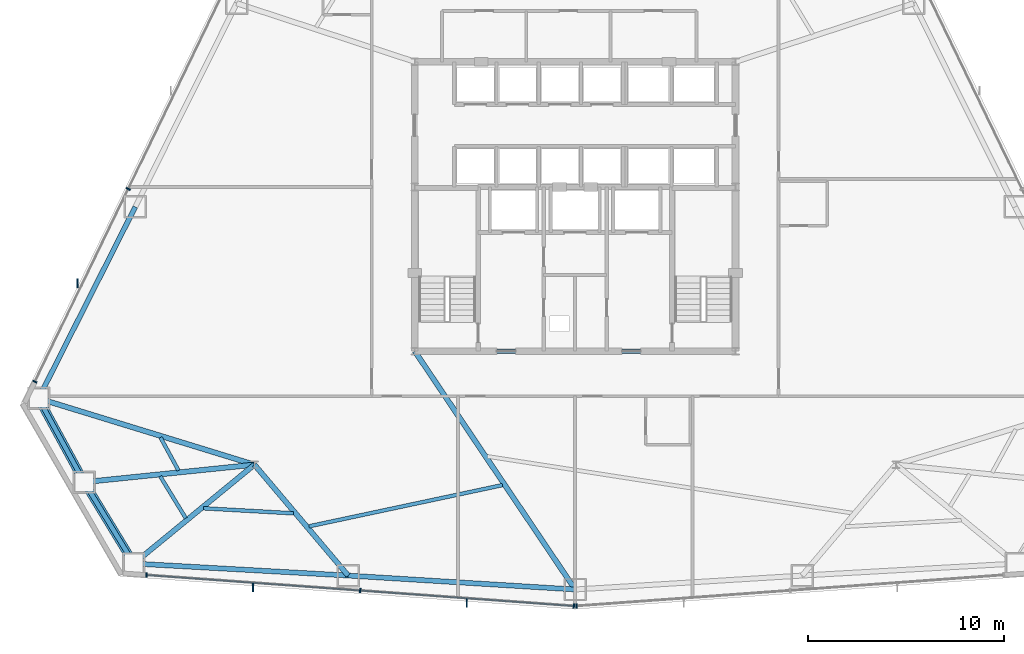
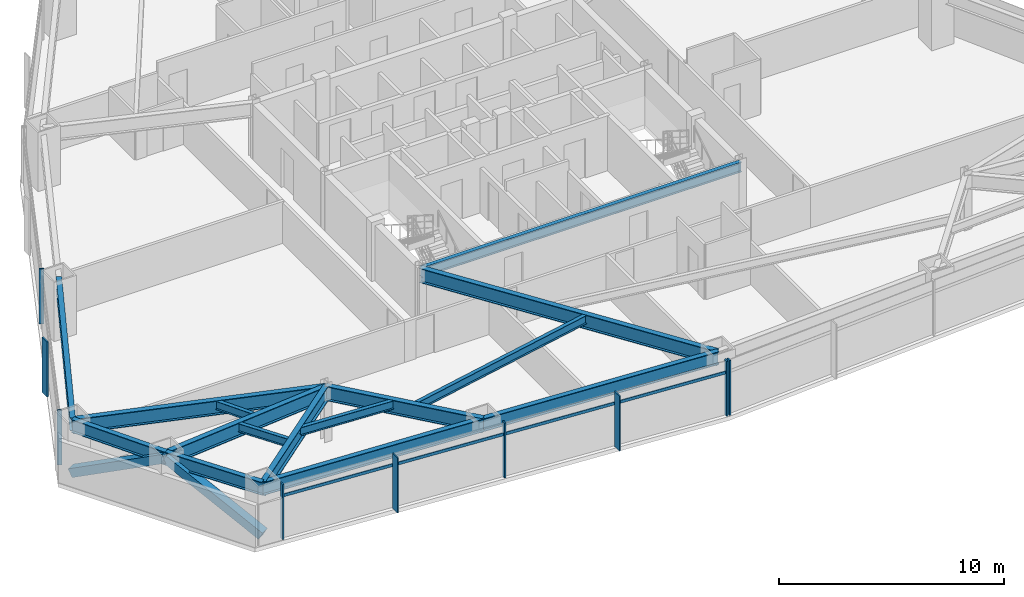
# One storey, part 4 of 12: 15 beams, 12 members, 3 elements without a shape of their own.
"""IFC4 building model written with IfcOpenShell, lengths in metres."""

from ifc_helpers import new_model, si_unit, direction, frame, origin, origin_2d, place, context, subcontext, project, spatial, rectangle, hollow_rectangle, i_section, extrude, source, transform, mapped, material, layer, layer_set, material_profile, profile_set, type_object, type_shapes, element, aggregate, save


model = new_model("IFC4")

# Units and contexts
model_context = context("Model", 3, precision=1e-05, world=origin(), true_north=direction((0.0, 1.0)))
body_context = subcontext(model_context, "Body", "Model", "MODEL_VIEW")
ifc_project = project(units=[si_unit("LENGTHUNIT", "METRE"), si_unit("AREAUNIT", "SQUARE_METRE"), si_unit("VOLUMEUNIT", "CUBIC_METRE"), si_unit("PLANEANGLEUNIT", "RADIAN"), si_unit("MASSUNIT", "GRAM", prefix="KILO")], contexts=[model_context])

# Site, building, storey
site_placement = place(None, origin())
site = spatial("IfcSite", under=ifc_project, at=site_placement, CompositionType="ELEMENT")
building_placement = place(site_placement, origin())
building = spatial("IfcBuilding", under=site, at=building_placement, Name="Varakhsha Concourse Tower", CompositionType="ELEMENT")
storey_placement = place(building_placement, frame((0.0, 0.0, 59.199951171875)))
storey = spatial("IfcBuildingStorey", under=building, at=storey_placement, Name="L16", CompositionType="ELEMENT", Elevation=59.199951171875)

# Beams
ifc_material_1 = material(Name="Structural Steel ASTM A992 Grade 50", Category="steel")
ifc_material_profile_1 = material_profile(ifc_material_1, i_section(OverallWidth=0.26611328125, OverallDepth=0.779052734375, WebThickness=0.01708984375, FlangeThickness=0.030029296875, at=origin_2d()), Name="W30X148")
ifc_profile_set_1 = profile_set([ifc_material_profile_1], Name="Structural Steel ASTM A992 Grade 50")
beam_type_1 = type_object("IfcBeamType", Name="BM-BASE-W30X148", PredefinedType="USERDEFINED", material=ifc_profile_set_1)
beam_1_placement = place(storey_placement, frame((23.60009765625, 10.60009765625, 2.590576171875), z_axis=(-0.955989537432, 0.293400757191, 0.0), x_axis=(-0.293400757191, -0.955989537432, 0.0)))
element("IfcBeam", 1, at=beam_1_placement, inside=storey, type_object=beam_type_1, Name="L16 Radial Floor Girder 07", ObjectType="GIRDER", PredefinedType="USERDEFINED", context=body_context, shape_type="SweptSolid", body=[
    extrude(i_section(OverallWidth=0.26611328125, OverallDepth=0.779052734375, WebThickness=0.01708984375, FlangeThickness=0.030029296875, at=origin_2d()), origin(), (0.0, 0.0, 1.0), 11.54541015625),
])
beam_2_placement = place(storey_placement, frame((23.60009765625, 10.60009765625, 2.590576171875), z_axis=(-0.994778315071, -0.102059315422, 0.0), x_axis=(0.102059315422, -0.994778315071, 0.0)))
element("IfcBeam", 2, at=beam_2_placement, inside=storey, type_object=beam_type_1, Name="L16 Radial Floor Girder 08", ObjectType="GIRDER", PredefinedType="USERDEFINED", context=body_context, shape_type="SweptSolid", body=[
    extrude(i_section(OverallWidth=0.26611328125, OverallDepth=0.779052734375, WebThickness=0.01708984375, FlangeThickness=0.030029296875, at=origin_2d()), origin(), (0.0, 0.0, 1.0), 8.748046875),
])
beam_3_placement = place(storey_placement, frame((23.60009765625, 10.60009765625, 2.590576171875), z_axis=(-0.773178879733, -0.634188000466, 0.0), x_axis=(0.634188000466, -0.773178879733, 0.0)))
element("IfcBeam", 3, at=beam_3_placement, inside=storey, type_object=beam_type_1, Name="L16 Radial Floor Girder 09", ObjectType="GIRDER", PredefinedType="USERDEFINED", context=body_context, shape_type="SweptSolid", body=[
    extrude(i_section(OverallWidth=0.26611328125, OverallDepth=0.779052734375, WebThickness=0.01708984375, FlangeThickness=0.030029296875, at=origin_2d()), origin(), (0.0, 0.0, 1.0), 7.97119140625),
])
beam_4_placement = place(storey_placement, frame((23.60009765625, 10.60009765625, 2.590576171875), z_axis=(0.645535260448, -0.763730467848, 0.0), x_axis=(0.763730467848, 0.645535260448, 0.0)))
element("IfcBeam", 4, at=beam_4_placement, inside=storey, type_object=beam_type_1, Name="L16 Radial Floor Girder 10", ObjectType="GIRDER", PredefinedType="USERDEFINED", context=body_context, shape_type="SweptSolid", body=[
    extrude(i_section(OverallWidth=0.26611328125, OverallDepth=0.779052734375, WebThickness=0.01708984375, FlangeThickness=0.030029296875, at=origin_2d()), origin(), (0.0, 0.0, 1.0), 7.423583984375),
])
beam_5_placement = place(storey_placement, frame((31.800048828125, 16.39990234375, 2.590576171875), z_axis=(0.558389350451, -0.829579009681, 0.0), x_axis=(0.829579009681, 0.558389350451, 0.0)))
element("IfcBeam", 5, at=beam_5_placement, inside=storey, type_object=beam_type_1, Name="L16 Radial Floor Girder 11", ObjectType="GIRDER", PredefinedType="USERDEFINED", context=body_context, shape_type="SweptSolid", body=[
    extrude(i_section(OverallWidth=0.26611328125, OverallDepth=0.779052734375, WebThickness=0.01708984375, FlangeThickness=0.030029296875, at=origin_2d()), origin(), (0.0, 0.0, 1.0), 14.68505859375),
])
ifc_material_profile_2 = material_profile(ifc_material_1, i_section(OverallWidth=0.19091796875, OverallDepth=0.45703125, WebThickness=0.009033203125, FlangeThickness=0.013916015625, at=origin_2d()), Name="W18X50")
ifc_profile_set_2 = profile_set([ifc_material_profile_2], Name="Structural Steel ASTM A992 Grade 50")
beam_type_2 = type_object("IfcBeamType", Name="BM-JST-W18X50", PredefinedType="JOIST", material=ifc_profile_set_2)
beam_6_placement = place(storey_placement, frame((18.79638671875, 11.993896484375, 2.75146484375), z_axis=(0.478932086799, -0.877851955761, 0.0), x_axis=(0.877851955761, 0.478932086799, 0.0)))
element("IfcBeam", 6, at=beam_6_placement, inside=storey, type_object=beam_type_2, Name="BM-TJST-L16-07", PredefinedType="JOIST", context=body_context, shape_type="SweptSolid", body=[
    extrude(i_section(OverallWidth=0.19091796875, OverallDepth=0.45703125, WebThickness=0.009033203125, FlangeThickness=0.013916015625, at=origin_2d()), origin(), (0.0, 0.0, 1.0), 1.92529296875),
])
beam_7_placement = place(storey_placement, frame((18.7841796875, 10.006103515625, 2.75146484375), z_axis=(0.520718089615, -0.853728687083, 0.0), x_axis=(0.853728687083, 0.520718089615, 0.0)))
element("IfcBeam", 7, at=beam_7_placement, inside=storey, type_object=beam_type_2, Name="BM-TJST-L16-08", PredefinedType="JOIST", context=body_context, shape_type="SweptSolid", body=[
    extrude(i_section(OverallWidth=0.19091796875, OverallDepth=0.45703125, WebThickness=0.009033203125, FlangeThickness=0.013916015625, at=origin_2d()), origin(), (0.0, 0.0, 1.0), 2.51025390625),
])
beam_8_placement = place(storey_placement, frame((20.998046875, 8.36962890625, 2.75146484375), z_axis=(0.998430705493, -0.056001127923, 0.0), x_axis=(0.056001127923, 0.998430705493, 0.0)))
element("IfcBeam", 8, at=beam_8_placement, inside=storey, type_object=beam_type_2, Name="BM-TJST-L16-09", PredefinedType="JOIST", context=body_context, shape_type="SweptSolid", body=[
    extrude(i_section(OverallWidth=0.19091796875, OverallDepth=0.45703125, WebThickness=0.009033203125, FlangeThickness=0.013916015625, at=origin_2d()), origin(), (0.0, 0.0, 1.0), 4.608154296875),
])
beam_9_placement = place(storey_placement, frame((26.391357421875, 7.447998046875, 2.75146484375), z_axis=(0.978065142388, 0.208299249267, 0.0), x_axis=(-0.208299249267, 0.978065142388, 0.0)))
element("IfcBeam", 9, at=beam_9_placement, inside=storey, type_object=beam_type_2, Name="BM-TJST-L16-10", PredefinedType="JOIST", context=body_context, shape_type="SweptSolid", body=[
    extrude(i_section(OverallWidth=0.19091796875, OverallDepth=0.45703125, WebThickness=0.009033203125, FlangeThickness=0.013916015625, at=origin_2d()), origin(), (0.0, 0.0, 1.0), 10.114990234375),
])
ifc_material_profile_3 = material_profile(ifc_material_1, i_section(OverallWidth=0.2109375, OverallDepth=0.5390625, WebThickness=0.011962890625, FlangeThickness=0.01904296875, at=origin_2d()), Name="W21X73")
ifc_profile_set_3 = profile_set([ifc_material_profile_3], Name="Structural Steel ASTM A992 Grade 50")
beam_type_3 = type_object("IfcBeamType", Name="BM-RAD-W21X73", PredefinedType="BEAM", material=ifc_profile_set_3)
beam_10_placement = place(storey_placement, frame((31.800048828125, 16.39990234375, 2.71044921875), z_axis=(1.0, 0.0, 0.0), x_axis=(0.0, 1.0, 0.0)))
element("IfcBeam", 10, at=beam_10_placement, inside=storey, type_object=beam_type_3, Name="BM-TCORE-L16-CS", PredefinedType="BEAM", context=body_context, shape_type="SweptSolid", body=[
    extrude(i_section(OverallWidth=0.2109375, OverallDepth=0.5390625, WebThickness=0.011962890625, FlangeThickness=0.01904296875, at=origin_2d()), origin(), (0.0, 0.0, 1.0), 16.39990234375),
])
ifc_material_profile_4 = material_profile(ifc_material_1, i_section(OverallWidth=0.25390625, OverallDepth=0.701904296875, WebThickness=0.014892578125, FlangeThickness=0.028076171875, at=origin_2d()), Name="W27X129")
ifc_profile_set_4 = profile_set([ifc_material_profile_4], Name="Structural Steel ASTM A992 Grade 50")
beam_type_4 = type_object("IfcBeamType", Name="BM-SPAN-W27X129", PredefinedType="SPANDREL", material=ifc_profile_set_4)
beam_11_placement = place(storey_placement, frame((17.50830078125, 23.7822265625, 2.629150390625), z_axis=(-0.450725699101, -0.892662502948, 0.0), x_axis=(0.892662502948, -0.450725699101, 0.0)))
element("IfcBeam", 11, at=beam_11_placement, inside=storey, type_object=beam_type_4, Name="BM-SPAN-L16-06", PredefinedType="SPANDREL", context=body_context, shape_type="SweptSolid", body=[
    extrude(i_section(OverallWidth=0.25390625, OverallDepth=0.701904296875, WebThickness=0.014892578125, FlangeThickness=0.028076171875, at=origin_2d()), origin(), (0.0, 0.0, 1.0), 10.972412109375),
])
for number, where, z_axis, x_axis, name in (
    (12, (12.562744140625, 13.987548828125, 2.629150390625), (0.478894229376, -0.87787260868, 0.0), (0.87787260868, 0.478894229376, 0.0), "BM-SPAN-L16-07"),
    (13, (14.897705078125, 9.707275390625, 2.629150390625), (0.520799708694, -0.853678899484, 0.0), (0.853678899484, 0.520799708694, 0.0), "BM-SPAN-L16-08"),
):
    element("IfcBeam", number, at=place(storey_placement, frame(where, z_axis=z_axis, x_axis=x_axis)), inside=storey, type_object=beam_type_4, Name=name, PredefinedType="SPANDREL", context=body_context, shape_type="SweptSolid", body=[
        extrude(i_section(OverallWidth=0.25390625, OverallDepth=0.701904296875, WebThickness=0.014892578125, FlangeThickness=0.028076171875, at=origin_2d()), origin(), (0.0, 0.0, 1.0), 4.875732421875),
    ])
beam_12_placement = place(storey_placement, frame((17.43701171875, 5.544921875, 2.629150390625), z_axis=(0.998430566592, -0.056003604308, 0.0), x_axis=(0.056003604308, 0.998430566592, 0.0)))
element("IfcBeam", 14, at=beam_12_placement, inside=storey, type_object=beam_type_4, Name="BM-SPAN-L16-09", PredefinedType="SPANDREL", context=body_context, shape_type="SweptSolid", body=[
    extrude(i_section(OverallWidth=0.25390625, OverallDepth=0.701904296875, WebThickness=0.014892578125, FlangeThickness=0.028076171875, at=origin_2d()), origin(), (0.0, 0.0, 1.0), 10.97265625),
])
beam_13_placement = place(storey_placement, frame((28.392333984375, 4.930419921875, 2.629150390625), z_axis=(0.998119386506, -0.061300002284, 0.0), x_axis=(0.061300002284, 0.998119386506, 0.0)))
element("IfcBeam", 15, at=beam_13_placement, inside=storey, type_object=beam_type_4, Name="BM-SPAN-L16-10", PredefinedType="SPANDREL", context=body_context, shape_type="SweptSolid", body=[
    extrude(i_section(OverallWidth=0.25390625, OverallDepth=0.701904296875, WebThickness=0.014892578125, FlangeThickness=0.028076171875, at=origin_2d()), origin(), (0.0, 0.0, 1.0), 11.629638671875),
])

# Members
ifc_material_2 = material(Name="Structural Steel ASTM A500 Grade C", Category="steel")
ifc_material_profile_5 = material_profile(ifc_material_2, hollow_rectangle(XDim=0.449951171875, YDim=0.449951171875, WallThickness=0.01904296875, at=origin_2d()), Name="HSS 450x450x19")
ifc_profile_set_5 = profile_set([ifc_material_profile_5], Name="Structural Steel ASTM A500 Grade C")
member_type_1 = type_object("IfcMemberType", Name="MB-TUBE-HSS450", PredefinedType="BRACE", material=ifc_profile_set_5)
shared_shape_1 = source(origin(), body_context, "Body", "SweptSolid", [
    extrude(hollow_rectangle(XDim=0.449951171875, YDim=0.449951171875, WallThickness=0.01904296875, at=origin_2d()), origin(), (0.0, 0.0, 1.0), 5.5068359375),
])
type_shapes(member_type_1, [shared_shape_1])
for number, where, z_axis, x_axis, name in (
    (16, (12.562744140625, 13.987548828125, 0.1201171875), (0.424010012347, -0.777263021378, 0.464841591327), (0.87787260868, 0.478894229376, 0.0), "L16 Wind-Corner Tube Brace B03"),
    (17, (17.43701171875, 5.544921875, 0.1201171875), (-0.461113876099, 0.755843714413, 0.464837899327), (-0.853678899484, -0.520799708694, 0.0), "L16 Wind-Corner Tube Brace B04"),
):
    element("IfcMember", number, at=place(storey_placement, frame(where, z_axis=z_axis, x_axis=x_axis)), inside=storey, type_object=member_type_1, Name=name, PredefinedType="BRACE", context=body_context, shape_type="MappedRepresentation", body=[
        mapped(shared_shape_1, transform((0.0, 0.0, 0.0), scale=1.0)),
    ])

# Curtain wall, members
ifc_material_3 = material(Name="Anodised Bronze Architectural Aluminium AA 6063-T6", Category="aluminium")
ifc_layer = layer(ifc_material_3, 0.219970703125, Name="CW-SYS-02")
ifc_layer_set = layer_set([ifc_layer], Name="Anodised Bronze Architectural Aluminium AA 6063-T6")
curtain_wall_type = type_object("IfcCurtainWallType", Name="CW-SYS-02", PredefinedType="NOTDEFINED", material=ifc_layer_set)
curtain_wall_1_placement = place(storey_placement, origin())
curtain_wall_1 = element("IfcCurtainWall", 18, at=curtain_wall_1_placement, inside=storey, type_object=curtain_wall_type, Name="L16 Crystal Curtain Wall F3", PredefinedType="NOTDEFINED")
ifc_material_profile_6 = material_profile(ifc_material_3, rectangle(XDim=0.074951171875, YDim=0.219970703125, at=origin_2d()), Name="CWM-220X75")
ifc_profile_set_6 = profile_set([ifc_material_profile_6], Name="Anodised Bronze Architectural Aluminium AA 6063-T6")
member_type_2 = type_object("IfcMemberType", Name="CWM-220X75", PredefinedType="MULLION", material=ifc_profile_set_6)
shared_shape_2 = source(origin(), body_context, "Body", "SweptSolid", [
    extrude(rectangle(XDim=0.074951171875, YDim=0.219970703125, at=origin_2d()), origin(), (0.0, 0.0, 1.0), 2.97998046875),
])
type_shapes(member_type_2, [shared_shape_2])
member_1_placement = place(storey_placement, frame((12.37744140625, 14.842529296875, 0.0), z_axis=(0.0, 0.0, 1.0), x_axis=(0.435982054409, 0.899955359022, 0.0)))
member_1 = element("IfcMember", 19, at=member_1_placement, type_object=member_type_2, Name="CW-L16-F3 Mullion 00", PredefinedType="MULLION", context=body_context, shape_type="MappedRepresentation", body=[
    mapped(shared_shape_2, transform((0.0, 0.0, 0.0), scale=1.0)),
])
member_2_placement = place(storey_placement, frame((17.15234375, 24.698974609375, 0.0), z_axis=(0.0, 0.0, 1.0), x_axis=(0.435982054409, 0.899955359022, 0.0)))
member_2 = element("IfcMember", 20, at=member_2_placement, type_object=member_type_2, Name="CW-L16-F3 Mullion 01", PredefinedType="MULLION", context=body_context, shape_type="MappedRepresentation", body=[
    mapped(shared_shape_2, transform((0.0, 0.0, 0.0), scale=1.0)),
])

curtain_wall_2_placement = place(storey_placement, origin())
curtain_wall_2 = element("IfcCurtainWall", 21, at=curtain_wall_2_placement, inside=storey, type_object=curtain_wall_type, Name="L16 Crystal Curtain Wall F5", PredefinedType="NOTDEFINED")
member_3_placement = place(storey_placement, frame((39.931884765625, 3.370849609375, 0.0), z_axis=(0.0, 0.0, 1.0), x_axis=(-0.997375609494, 0.072400922553, 0.0)))
member_3 = element("IfcMember", 22, at=member_3_placement, type_object=member_type_2, Name="CW-L16-F5 Mullion 00", PredefinedType="MULLION", context=body_context, shape_type="MappedRepresentation", body=[
    mapped(shared_shape_2, transform((0.0, 0.0, 0.0), scale=1.0)),
])
member_4_placement = place(storey_placement, frame((29.00830078125, 4.163818359375, 0.0), z_axis=(0.0, 0.0, 1.0), x_axis=(-0.997375609494, 0.072400922553, 0.0)))
member_4 = element("IfcMember", 23, at=member_4_placement, type_object=member_type_2, Name="CW-L16-F5 Mullion 01", PredefinedType="MULLION", context=body_context, shape_type="MappedRepresentation", body=[
    mapped(shared_shape_2, transform((0.0, 0.0, 0.0), scale=1.0)),
])
member_5_placement = place(storey_placement, frame((18.0849609375, 4.956787109375, 0.0), z_axis=(0.0, 0.0, 1.0), x_axis=(-0.997375609494, 0.072400922553, 0.0)))
member_5 = element("IfcMember", 24, at=member_5_placement, type_object=member_type_2, Name="CW-L16-F5 Mullion 02", PredefinedType="MULLION", context=body_context, shape_type="MappedRepresentation", body=[
    mapped(shared_shape_2, transform((0.0, 0.0, 0.0), scale=1.0)),
])

# Curtain wall, member
curtain_wall_3_placement = place(storey_placement, origin())
curtain_wall_3 = element("IfcCurtainWall", 25, at=curtain_wall_3_placement, inside=storey, type_object=curtain_wall_type, Name="L16 Crystal Curtain Wall F6", PredefinedType="NOTDEFINED")
member_6_placement = place(storey_placement, frame((40.068115234375, 3.370849609375, 0.0), z_axis=(0.0, 0.0, 1.0), x_axis=(-0.997375609494, -0.072400922553, 0.0)))
member_6 = element("IfcMember", 26, at=member_6_placement, type_object=member_type_2, Name="CW-L16-F6 Mullion 02", PredefinedType="MULLION", context=body_context, shape_type="MappedRepresentation", body=[
    mapped(shared_shape_2, transform((0.0, 0.0, 0.0), scale=1.0)),
])
aggregate(curtain_wall_3, [member_6])

# Member
ifc_material_profile_7 = material_profile(ifc_material_3, rectangle(XDim=0.06494140625, YDim=0.449951171875, at=origin_2d()), Name="FIN-BRZ-450")
ifc_profile_set_7 = profile_set([ifc_material_profile_7], Name="Anodised Bronze Architectural Aluminium AA 6063-T6")
member_type_3 = type_object("IfcMemberType", Name="FIN-BRZ-450", PredefinedType="USERDEFINED", material=ifc_profile_set_7)
shared_shape_3 = source(origin(), body_context, "Body", "SweptSolid", [
    extrude(rectangle(XDim=0.06494140625, YDim=0.449951171875, at=origin_2d()), origin(), (0.0, 0.0, 1.0), 2.97998046875),
])
type_shapes(member_type_3, [shared_shape_3])
member_7_placement = place(storey_placement, frame((14.548828125, 19.87548828125, 0.0), z_axis=(0.0, 0.0, 1.0), x_axis=(1.0, 0.0, 0.0)))
member_7 = element("IfcMember", 27, at=member_7_placement, type_object=member_type_3, Name="L16 Anodised Bronze Solar Fin F3-1", ObjectType="SOLAR FIN", PredefinedType="USERDEFINED", context=body_context, shape_type="MappedRepresentation", body=[
    mapped(shared_shape_3, transform((0.0, 0.0, 0.0), scale=1.0)),
])

aggregate(curtain_wall_1, [member_1, member_2, member_7])

member_8_placement = place(storey_placement, frame((34.45263671875, 3.528076171875, 0.0), z_axis=(0.0, 0.0, 1.0), x_axis=(1.0, 0.0, 0.0)))
member_8 = element("IfcMember", 28, at=member_8_placement, type_object=member_type_3, Name="L16 Anodised Bronze Solar Fin F5-1", ObjectType="SOLAR FIN", PredefinedType="USERDEFINED", context=body_context, shape_type="MappedRepresentation", body=[
    mapped(shared_shape_3, transform((0.0, 0.0, 0.0), scale=1.0)),
])

member_9_placement = place(storey_placement, frame((23.529296875, 4.321044921875, 0.0), z_axis=(0.0, 0.0, 1.0), x_axis=(1.0, 0.0, 0.0)))
member_9 = element("IfcMember", 29, at=member_9_placement, type_object=member_type_3, Name="L16 Anodised Bronze Solar Fin F5-2", ObjectType="SOLAR FIN", PredefinedType="USERDEFINED", context=body_context, shape_type="MappedRepresentation", body=[
    mapped(shared_shape_3, transform((0.0, 0.0, 0.0), scale=1.0)),
])

ifc_material_profile_8 = material_profile(ifc_material_3, rectangle(XDim=0.06494140625, YDim=0.159912109375, at=origin_2d()), Name="CWT-160X65")
ifc_profile_set_8 = profile_set([ifc_material_profile_8], Name="Anodised Bronze Architectural Aluminium AA 6063-T6")
member_type_4 = type_object("IfcMemberType", Name="CWT-160X65", PredefinedType="USERDEFINED", material=ifc_profile_set_8)
shared_shape_4 = source(origin(), body_context, "Body", "SweptSolid", [
    extrude(rectangle(XDim=0.06494140625, YDim=0.159912109375, at=origin_2d()), origin(), (0.0, 0.0, 1.0), 21.904296875),
])
type_shapes(member_type_4, [shared_shape_4])
member_10_placement = place(storey_placement, frame((39.931884765625, 3.370849609375, 2.330078125), z_axis=(-0.997375484087, 0.072402650105, 0.0), x_axis=(-0.072402650105, -0.997375484087, 0.0)))
member_10 = element("IfcMember", 30, at=member_10_placement, type_object=member_type_4, Name="CW-L16-F5 Transom 01", ObjectType="TRANSOM", PredefinedType="USERDEFINED", context=body_context, shape_type="MappedRepresentation", body=[
    mapped(shared_shape_4, transform((0.0, 0.0, 0.0), scale=1.0)),
])

aggregate(curtain_wall_2, [member_3, member_4, member_5, member_10, member_8, member_9])

save(model, "model.ifc")
